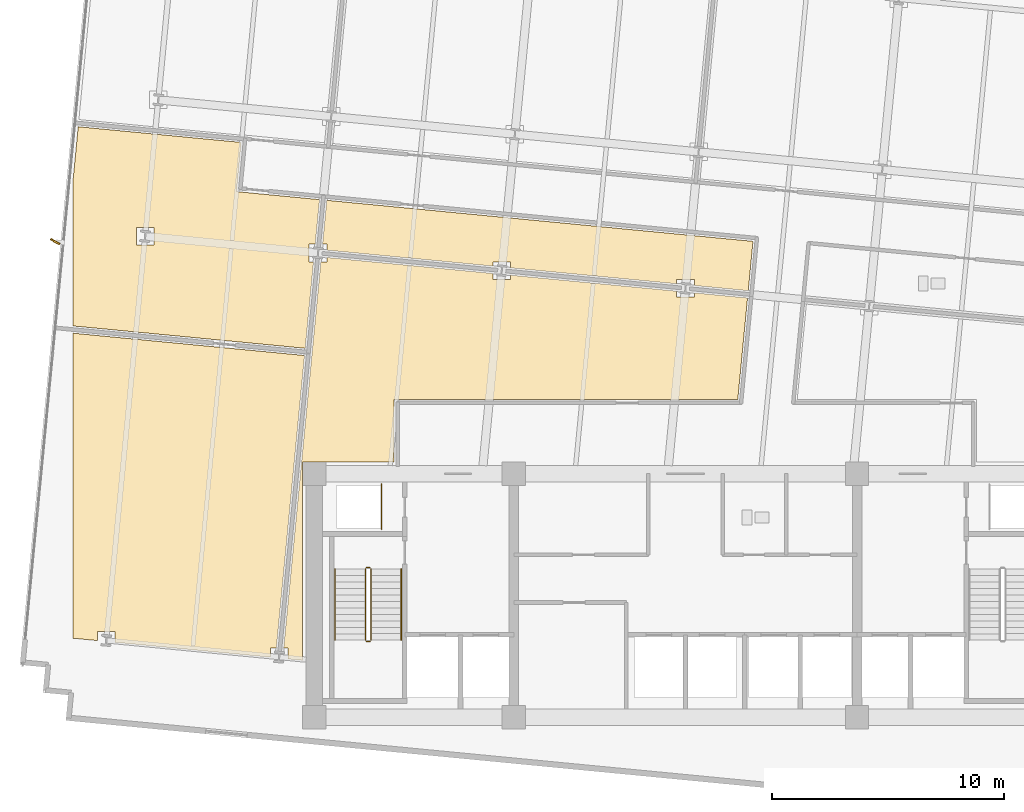
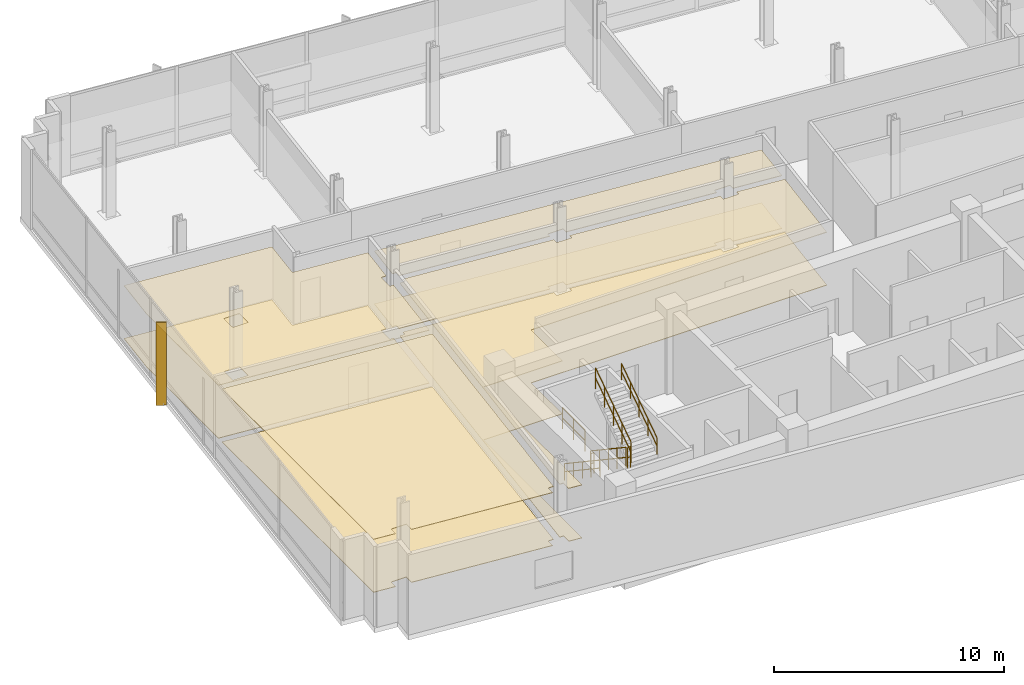
# One storey, part 14 of 17: 8 coverings, 7 railings, 1 shading device.
"""IFC4 building model written with IfcOpenShell, lengths in metres."""

from ifc_helpers import new_model, si_unit, direction, frame, origin, origin_2d, place, context, subcontext, project, spatial, polyline, rectangle, circle, outline, extrude, material, layer, layer_set, type_object, element, save


model = new_model("IFC4")

# Units and contexts
model_context = context("Model", 3, precision=1e-05, world=origin(), true_north=direction((0.0, 1.0)))
body_context = subcontext(model_context, "Body", "Model", "MODEL_VIEW")
ifc_project = project(units=[si_unit("LENGTHUNIT", "METRE"), si_unit("AREAUNIT", "SQUARE_METRE"), si_unit("VOLUMEUNIT", "CUBIC_METRE"), si_unit("PLANEANGLEUNIT", "RADIAN"), si_unit("MASSUNIT", "GRAM", prefix="KILO")], contexts=[model_context])

# Site, building, storey
site_placement = place(None, origin())
site = spatial("IfcSite", under=ifc_project, at=site_placement, CompositionType="ELEMENT")
building_placement = place(site_placement, origin())
building = spatial("IfcBuilding", under=site, at=building_placement, Name="Solmavex Isthmus Hotel", CompositionType="ELEMENT")
storey_placement = place(building_placement, frame((0.0, 0.0, 177.300048828125)))
storey = spatial("IfcBuildingStorey", under=building, at=storey_placement, Name="L48", CompositionType="ELEMENT", Elevation=177.300048828125)

# Coverings
ifc_material_1 = material(Name="Gypsum plasterboard lining", Category="gypsum")
ifc_layer_1 = layer(ifc_material_1, 0.030029296875)
ifc_layer_set_1 = layer_set([ifc_layer_1], Name="Gypsum plasterboard lining")
covering_type_1 = type_object("IfcCoveringType", Name="COV-CEIL-GYP", PredefinedType="CEILING", material=ifc_layer_set_1)
covering_1_placement = place(storey_placement, frame((0.0, 0.0, 2.800048828125)))
element("IfcCovering", 1, at=covering_1_placement, inside=storey, type_object=covering_type_1, Name="Suspended Acoustic Ceiling L48-FL07", PredefinedType="CEILING", context=body_context, shape_type="SweptSolid", body=[
    extrude(outline(polyline([(-0.378662109375, 5.6826171875), (-0.378662109375, 5.870361328125), (0.38134765625, 5.870361328125), (0.38134765625, 5.609375), (2.706787109375, 5.385498046875), (2.911865234375, 7.515625), (-15.463134765625, 9.284912109375), (-15.645263671875, 7.3955078125), (-15.45751953125, 7.3955078125), (-15.45751953125, 7.134521484375), (-8.298095703125, 6.445068359375), (-8.298095703125, 6.6328125), (-7.5380859375, 6.6328125), (-7.5380859375, 6.3720703125), (-0.378662109375, 5.6826171875)])), origin(), (0.0, 0.0, 1.0), 0.02978515625),
])
covering_2_placement = place(storey_placement, frame((0.0, 0.0, 2.800048828125)))
element("IfcCovering", 2, at=covering_2_placement, inside=storey, type_object=covering_type_1, Name="Suspended Acoustic Ceiling L48-FL09", PredefinedType="CEILING", context=body_context, shape_type="SweptSolid", body=[
    extrude(outline(polyline([(-16.02978515625, 6.635498046875), (-16.217529296875, 6.635498046875), (-16.217529296875, 7.3955078125), (-15.95654296875, 7.3955078125), (-15.771728515625, 9.314697265625), (-19.355224609375, 9.65966796875), (-19.151123046875, 11.780029296875), (-26.176513671875, 12.45654296875), (-26.39990234375, 10.135986328125), (-26.39990234375, 3.868408203125), (-16.38916015625, 2.904296875), (-16.02978515625, 6.635498046875)]), holes=[polyline([(-23.6708984375, 7.35302734375), (-23.6708984375, 8.113037109375), (-22.910888671875, 8.113037109375), (-22.910888671875, 7.35302734375), (-23.6708984375, 7.35302734375)])]), origin(), (0.0, 0.0, 1.0), 0.02978515625),
])
covering_3_placement = place(storey_placement, frame((0.0, 0.0, 2.800048828125)))
element("IfcCovering", 3, at=covering_3_placement, inside=storey, type_object=covering_type_1, Name="Suspended Acoustic Ceiling L48-FL11", PredefinedType="CEILING", context=body_context, shape_type="SweptSolid", body=[
    extrude(outline(polyline([(-17.322509765625, -10.02392578125), (-17.134765625, -10.02392578125), (-17.134765625, -10.48583984375), (-16.5048828125, -10.54638671875), (-16.5048828125, -1.9951171875), (-12.554931640625, -1.9951171875), (-12.554931640625, 0.705078125), (2.256103515625, 0.705078125), (2.677001953125, 5.076904296875), (0.38134765625, 5.298095703125), (0.38134765625, 5.1103515625), (-0.378662109375, 5.1103515625), (-0.378662109375, 5.37109375), (-7.5380859375, 6.060546875), (-7.5380859375, 5.872802734375), (-8.298095703125, 5.872802734375), (-8.298095703125, 6.1337890625), (-15.45751953125, 6.822998046875), (-15.45751953125, 6.635498046875), (-15.71826171875, 6.635498046875), (-17.322509765625, -10.02392578125)])), origin(), (0.0, 0.0, 1.0), 0.02978515625),
])
covering_4_placement = place(storey_placement, frame((0.0, 0.0, 2.800048828125)))
element("IfcCovering", 4, at=covering_4_placement, inside=storey, type_object=covering_type_1, Name="Suspended Acoustic Ceiling L48-FL12", PredefinedType="CEILING", context=body_context, shape_type="SweptSolid", body=[
    extrude(outline(polyline([(-17.894775390625, -10.41259765625), (-17.894775390625, -10.02392578125), (-17.6337890625, -10.02392578125), (-16.418701171875, 2.595703125), (-26.39990234375, 3.556884765625), (-26.39990234375, -9.59375), (-25.348388671875, -9.69482421875), (-25.348388671875, -9.306396484375), (-24.58837890625, -9.306396484375), (-24.58837890625, -9.76806640625), (-17.894775390625, -10.41259765625)])), origin(), (0.0, 0.0, 1.0), 0.02978515625),
])
ifc_material_2 = material(Name="Travertine natural stone", Category="masonry")
ifc_layer_2 = layer(ifc_material_2, 0.02490234375)
ifc_layer_set_2 = layer_set([ifc_layer_2], Name="Travertine natural stone")
covering_type_2 = type_object("IfcCoveringType", Name="COV-FLOR-STN", PredefinedType="FLOORING", material=ifc_layer_set_2)
covering_5_placement = place(storey_placement, origin())
element("IfcCovering", 5, at=covering_5_placement, inside=storey, type_object=covering_type_2, Name="Stone and Timber Floor Finish L48-FL07", PredefinedType="FLOORING", context=body_context, shape_type="SweptSolid", body=[
    extrude(outline(polyline([(-0.378662109375, 5.6826171875), (-0.378662109375, 5.870361328125), (0.38134765625, 5.870361328125), (0.38134765625, 5.609375), (2.706787109375, 5.385498046875), (2.911865234375, 7.515625), (-15.463134765625, 9.284912109375), (-15.645263671875, 7.3955078125), (-15.45751953125, 7.3955078125), (-15.45751953125, 7.134521484375), (-8.298095703125, 6.445068359375), (-8.298095703125, 6.6328125), (-7.5380859375, 6.6328125), (-7.5380859375, 6.3720703125), (-0.378662109375, 5.6826171875)])), origin(), (0.0, 0.0, 1.0), 0.02490234375),
])
covering_6_placement = place(storey_placement, origin())
element("IfcCovering", 6, at=covering_6_placement, inside=storey, type_object=covering_type_2, Name="Stone and Timber Floor Finish L48-FL09", PredefinedType="FLOORING", context=body_context, shape_type="SweptSolid", body=[
    extrude(outline(polyline([(-16.02978515625, 6.635498046875), (-16.217529296875, 6.635498046875), (-16.217529296875, 7.3955078125), (-15.95654296875, 7.3955078125), (-15.771728515625, 9.314697265625), (-19.355224609375, 9.65966796875), (-19.151123046875, 11.780029296875), (-26.176513671875, 12.45654296875), (-26.39990234375, 10.135986328125), (-26.39990234375, 3.868408203125), (-16.38916015625, 2.904296875), (-16.02978515625, 6.635498046875)]), holes=[polyline([(-23.6708984375, 7.35302734375), (-23.6708984375, 8.113037109375), (-22.910888671875, 8.113037109375), (-22.910888671875, 7.35302734375), (-23.6708984375, 7.35302734375)])]), origin(), (0.0, 0.0, 1.0), 0.02490234375),
])
covering_7_placement = place(storey_placement, origin())
element("IfcCovering", 7, at=covering_7_placement, inside=storey, type_object=covering_type_2, Name="Stone and Timber Floor Finish L48-FL11", PredefinedType="FLOORING", context=body_context, shape_type="SweptSolid", body=[
    extrude(outline(polyline([(-17.322509765625, -10.02392578125), (-17.134765625, -10.02392578125), (-17.134765625, -10.48583984375), (-16.5048828125, -10.54638671875), (-16.5048828125, -1.9951171875), (-12.554931640625, -1.9951171875), (-12.554931640625, 0.705078125), (2.256103515625, 0.705078125), (2.677001953125, 5.076904296875), (0.38134765625, 5.298095703125), (0.38134765625, 5.1103515625), (-0.378662109375, 5.1103515625), (-0.378662109375, 5.37109375), (-7.5380859375, 6.060546875), (-7.5380859375, 5.872802734375), (-8.298095703125, 5.872802734375), (-8.298095703125, 6.1337890625), (-15.45751953125, 6.822998046875), (-15.45751953125, 6.635498046875), (-15.71826171875, 6.635498046875), (-17.322509765625, -10.02392578125)])), origin(), (0.0, 0.0, 1.0), 0.02490234375),
])
covering_8_placement = place(storey_placement, origin())
element("IfcCovering", 8, at=covering_8_placement, inside=storey, type_object=covering_type_2, Name="Stone and Timber Floor Finish L48-FL12", PredefinedType="FLOORING", context=body_context, shape_type="SweptSolid", body=[
    extrude(outline(polyline([(-17.894775390625, -10.41259765625), (-17.894775390625, -10.02392578125), (-17.6337890625, -10.02392578125), (-16.418701171875, 2.595703125), (-26.39990234375, 3.556884765625), (-26.39990234375, -9.59375), (-25.348388671875, -9.69482421875), (-25.348388671875, -9.306396484375), (-24.58837890625, -9.306396484375), (-24.58837890625, -9.76806640625), (-17.894775390625, -10.41259765625)])), origin(), (0.0, 0.0, 1.0), 0.02490234375),
])

# Railings
ifc_material_3 = material(Name="Clear low-E laminated glass", Category="glass")
ifc_layer_3 = layer(ifc_material_3, 0.080078125)
ifc_layer_set_3 = layer_set([ifc_layer_3], Name="Clear low-E laminated glass")
railing_type_1 = type_object("IfcRailingType", Name="RAIL-ATRIUM-1120", PredefinedType="BALUSTRADE", material=ifc_layer_set_3)
railing_1_placement = place(storey_placement, frame((-13.10009765625, -4.89990234375, 0.0)))
element("IfcRailing", 9, at=railing_1_placement, inside=storey, type_object=railing_type_1, Name="Guardrail Balustrade L48-RSW-01", PredefinedType="BALUSTRADE", context=body_context, shape_type="SweptSolid", body=[
    extrude(circle(Radius=0.02392578125, at=origin_2d()), frame((0.0, 0.0, 1.1259765625), z_axis=(0.0, 1.0, 0.0), x_axis=(-1.0, 0.0, 0.0)), (0.0, 0.0, 1.0), 1.949951171875),
    extrude(circle(Radius=0.02392578125, at=origin_2d()), frame((0.0, 0.0, 0.574951171875), z_axis=(0.0, 1.0, 0.0), x_axis=(-1.0, 0.0, 0.0)), (0.0, 0.0, 1.0), 1.949951171875),
    extrude(circle(Radius=0.02099609375, at=origin_2d()), origin(), (0.0, 0.0, 1.0), 1.101806640625),
    extrude(circle(Radius=0.02099609375, at=origin_2d()), frame((0.0, 0.97509765625, 0.0)), (0.0, 0.0, 1.0), 1.101806640625),
    extrude(circle(Radius=0.02099609375, at=origin_2d()), frame((0.0, 1.949951171875, 0.0)), (0.0, 0.0, 1.0), 1.101806640625),
])
ifc_material_4 = material(Name="Stainless steel 316", Category="steel")
ifc_layer_4 = layer(ifc_material_4, 0.06005859375)
ifc_layer_set_4 = layer_set([ifc_layer_4], Name="Stainless steel 316")
railing_type_2 = type_object("IfcRailingType", Name="RAIL-STAIR-GD", PredefinedType="GUARDRAIL", material=ifc_layer_set_4)
railing_2_placement = place(storey_placement, frame((-13.800048828125, -6.60009765625, 0.1875)))
element("IfcRailing", 10, at=railing_2_placement, inside=storey, type_object=railing_type_2, Name="L48 ST-1 stair guard 1", PredefinedType="GUARDRAIL", context=body_context, shape_type="SweptSolid", body=[
    extrude(circle(Radius=0.02392578125, at=origin_2d()), frame((0.0, 0.0, 1.09619140625), z_axis=(0.0, -0.830893310487, 0.556431762742), x_axis=(1.0, 0.0, 0.0)), (0.0, 0.0, 1.0), 3.70654296875),
    extrude(circle(Radius=0.02392578125, at=origin_2d()), frame((0.0, 0.0, 0.56005859375), z_axis=(0.0, -0.830893310487, 0.556431762742), x_axis=(1.0, 0.0, 0.0)), (0.0, 0.0, 1.0), 3.70654296875),
    extrude(circle(Radius=0.02099609375, at=origin_2d()), origin(), (0.0, 0.0, 1.0), 1.072021484375),
    extrude(circle(Radius=0.02099609375, at=origin_2d()), frame((0.0, -0.77001953125, 0.515625)), (0.0, 0.0, 1.0), 1.072021484375),
    extrude(circle(Radius=0.02099609375, at=origin_2d()), frame((0.0, -1.5400390625, 1.03125)), (0.0, 0.0, 1.0), 1.072021484375),
    extrude(circle(Radius=0.02099609375, at=origin_2d()), frame((0.0, -2.309814453125, 1.546875)), (0.0, 0.0, 1.0), 1.072021484375),
    extrude(circle(Radius=0.02099609375, at=origin_2d()), frame((0.0, -3.079833984375, 2.0625)), (0.0, 0.0, 1.0), 1.072021484375),
])
railing_3_placement = place(storey_placement, frame((-13.75, -9.72998046875, 2.25)))
element("IfcRailing", 11, at=railing_3_placement, inside=storey, type_object=railing_type_2, Name="L48 ST-1 stair guard 2", PredefinedType="GUARDRAIL", context=body_context, shape_type="SweptSolid", body=[
    extrude(circle(Radius=0.02392578125, at=origin_2d()), frame((0.0, 0.0, 1.09619140625), z_axis=(1.0, 0.0, 0.0), x_axis=(0.0, 1.0, 0.0)), (0.0, 0.0, 1.0), 0.14990234375),
    extrude(circle(Radius=0.02392578125, at=origin_2d()), frame((0.0, 0.0, 0.56005859375), z_axis=(1.0, 0.0, 0.0), x_axis=(0.0, 1.0, 0.0)), (0.0, 0.0, 1.0), 0.14990234375),
    extrude(circle(Radius=0.02099609375, at=origin_2d()), origin(), (0.0, 0.0, 1.0), 1.072021484375),
    extrude(circle(Radius=0.02099609375, at=origin_2d()), frame((0.14990234375, 0.0, 0.0)), (0.0, 0.0, 1.0), 1.072021484375),
])
railing_4_placement = place(storey_placement, frame((-13.550048828125, -9.679931640625, 2.4375)))
element("IfcRailing", 12, at=railing_4_placement, inside=storey, type_object=railing_type_2, Name="L48 ST-1 stair guard 3", PredefinedType="GUARDRAIL", context=body_context, shape_type="SweptSolid", body=[
    extrude(circle(Radius=0.02392578125, at=origin_2d()), frame((0.0, 0.0, 1.09619140625), z_axis=(0.0, 0.830893310487, 0.556431762742), x_axis=(-1.0, 0.0, 0.0)), (0.0, 0.0, 1.0), 3.70654296875),
    extrude(circle(Radius=0.02392578125, at=origin_2d()), frame((0.0, 0.0, 0.56005859375), z_axis=(0.0, 0.830893310487, 0.556431762742), x_axis=(-1.0, 0.0, 0.0)), (0.0, 0.0, 1.0), 3.70654296875),
    extrude(circle(Radius=0.02099609375, at=origin_2d()), origin(), (0.0, 0.0, 1.0), 1.072021484375),
    extrude(circle(Radius=0.02099609375, at=origin_2d()), frame((0.0, 0.77001953125, 0.515625)), (0.0, 0.0, 1.0), 1.072021484375),
    extrude(circle(Radius=0.02099609375, at=origin_2d()), frame((0.0, 1.5400390625, 1.03125)), (0.0, 0.0, 1.0), 1.072021484375),
    extrude(circle(Radius=0.02099609375, at=origin_2d()), frame((0.0, 2.309814453125, 1.546875)), (0.0, 0.0, 1.0), 1.072021484375),
    extrude(circle(Radius=0.02099609375, at=origin_2d()), frame((0.0, 3.079833984375, 2.0625)), (0.0, 0.0, 1.0), 1.072021484375),
])
railing_5_placement = place(storey_placement, frame((-13.75, -6.550048828125, 0.0)))
element("IfcRailing", 13, at=railing_5_placement, inside=storey, type_object=railing_type_2, Name="L48 ST-1 stair guard 4", PredefinedType="GUARDRAIL", context=body_context, shape_type="SweptSolid", body=[
    extrude(circle(Radius=0.02392578125, at=origin_2d()), frame((0.0, 0.0, 1.09619140625), z_axis=(1.0, 0.0, 0.0), x_axis=(0.0, 1.0, 0.0)), (0.0, 0.0, 1.0), 0.14990234375),
    extrude(circle(Radius=0.02392578125, at=origin_2d()), frame((0.0, 0.0, 0.56005859375), z_axis=(1.0, 0.0, 0.0), x_axis=(0.0, 1.0, 0.0)), (0.0, 0.0, 1.0), 0.14990234375),
    extrude(circle(Radius=0.02099609375, at=origin_2d()), origin(), (0.0, 0.0, 1.0), 1.072021484375),
    extrude(circle(Radius=0.02099609375, at=origin_2d()), frame((0.14990234375, 0.0, 0.0)), (0.0, 0.0, 1.0), 1.072021484375),
])
ifc_layer_5 = layer(ifc_material_4, 0.050048828125)
ifc_layer_set_5 = layer_set([ifc_layer_5], Name="Stainless steel 316")
railing_type_3 = type_object("IfcRailingType", Name="RAIL-STAIR-HR", PredefinedType="HANDRAIL", material=ifc_layer_set_5)
railing_6_placement = place(storey_placement, frame((-15.10009765625, -6.60009765625, 0.1875)))
element("IfcRailing", 14, at=railing_6_placement, inside=storey, type_object=railing_type_3, Name="L48 ST-1 stair handrail 1", PredefinedType="HANDRAIL", context=body_context, shape_type="SweptSolid", body=[
    extrude(circle(Radius=0.02392578125, at=origin_2d()), frame((0.0, 0.0, 0.8759765625), z_axis=(0.0, -0.830893310487, 0.556431762742), x_axis=(1.0, 0.0, 0.0)), (0.0, 0.0, 1.0), 3.70654296875),
    extrude(circle(Radius=0.02392578125, at=origin_2d()), frame((0.0, 0.0, 0.449951171875), z_axis=(0.0, -0.830893310487, 0.556431762742), x_axis=(1.0, 0.0, 0.0)), (0.0, 0.0, 1.0), 3.70654296875),
    extrude(circle(Radius=0.02099609375, at=origin_2d()), origin(), (0.0, 0.0, 1.0), 0.851806640625),
    extrude(circle(Radius=0.02099609375, at=origin_2d()), frame((0.0, -0.77001953125, 0.515625)), (0.0, 0.0, 1.0), 0.851806640625),
    extrude(circle(Radius=0.02099609375, at=origin_2d()), frame((0.0, -1.5400390625, 1.03125)), (0.0, 0.0, 1.0), 0.851806640625),
    extrude(circle(Radius=0.02099609375, at=origin_2d()), frame((0.0, -2.309814453125, 1.546875)), (0.0, 0.0, 1.0), 0.851806640625),
    extrude(circle(Radius=0.02099609375, at=origin_2d()), frame((0.0, -3.079833984375, 2.0625)), (0.0, 0.0, 1.0), 0.851806640625),
])
railing_7_placement = place(storey_placement, frame((-12.25, -9.679931640625, 2.4375)))
element("IfcRailing", 15, at=railing_7_placement, inside=storey, type_object=railing_type_3, Name="L48 ST-1 stair handrail 2", PredefinedType="HANDRAIL", context=body_context, shape_type="SweptSolid", body=[
    extrude(circle(Radius=0.02392578125, at=origin_2d()), frame((0.0, 0.0, 0.8759765625), z_axis=(0.0, 0.830893310487, 0.556431762742), x_axis=(-1.0, 0.0, 0.0)), (0.0, 0.0, 1.0), 3.70654296875),
    extrude(circle(Radius=0.02392578125, at=origin_2d()), frame((0.0, 0.0, 0.449951171875), z_axis=(0.0, 0.830893310487, 0.556431762742), x_axis=(-1.0, 0.0, 0.0)), (0.0, 0.0, 1.0), 3.70654296875),
    extrude(circle(Radius=0.02099609375, at=origin_2d()), origin(), (0.0, 0.0, 1.0), 0.851806640625),
    extrude(circle(Radius=0.02099609375, at=origin_2d()), frame((0.0, 0.77001953125, 0.515625)), (0.0, 0.0, 1.0), 0.851806640625),
    extrude(circle(Radius=0.02099609375, at=origin_2d()), frame((0.0, 1.5400390625, 1.03125)), (0.0, 0.0, 1.0), 0.851806640625),
    extrude(circle(Radius=0.02099609375, at=origin_2d()), frame((0.0, 2.309814453125, 1.546875)), (0.0, 0.0, 1.0), 0.851806640625),
    extrude(circle(Radius=0.02099609375, at=origin_2d()), frame((0.0, 3.079833984375, 2.0625)), (0.0, 0.0, 1.0), 0.851806640625),
])

# Shading device
ifc_material_5 = material(Name="Aluminium alloy 6063-T6", Category="aluminium")
shading_device_type = type_object("IfcShadingDeviceType", Name="SHD-FIN-BRONZE", PredefinedType="USERDEFINED", material=ifc_material_5)
shading_device_placement = place(storey_placement, frame((-27.1708984375, 7.50390625, -0.139892578125), z_axis=(0.0, 0.0, 1.0), x_axis=(-0.87035569594, 0.492423560103, 0.0)))
element("IfcShadingDevice", 16, at=shading_device_placement, inside=storey, type_object=shading_device_type, Name="Anodised Aluminium Solar Fin L48-W1", ObjectType="SOLAR_FIN", PredefinedType="USERDEFINED", context=body_context, shape_type="SweptSolid", body=[
    extrude(rectangle(XDim=0.449951171875, YDim=0.080078125, at=origin_2d()), origin(), (0.0, 0.0, 1.0), 4.3798828125),
])

save(model, "model.ifc")
